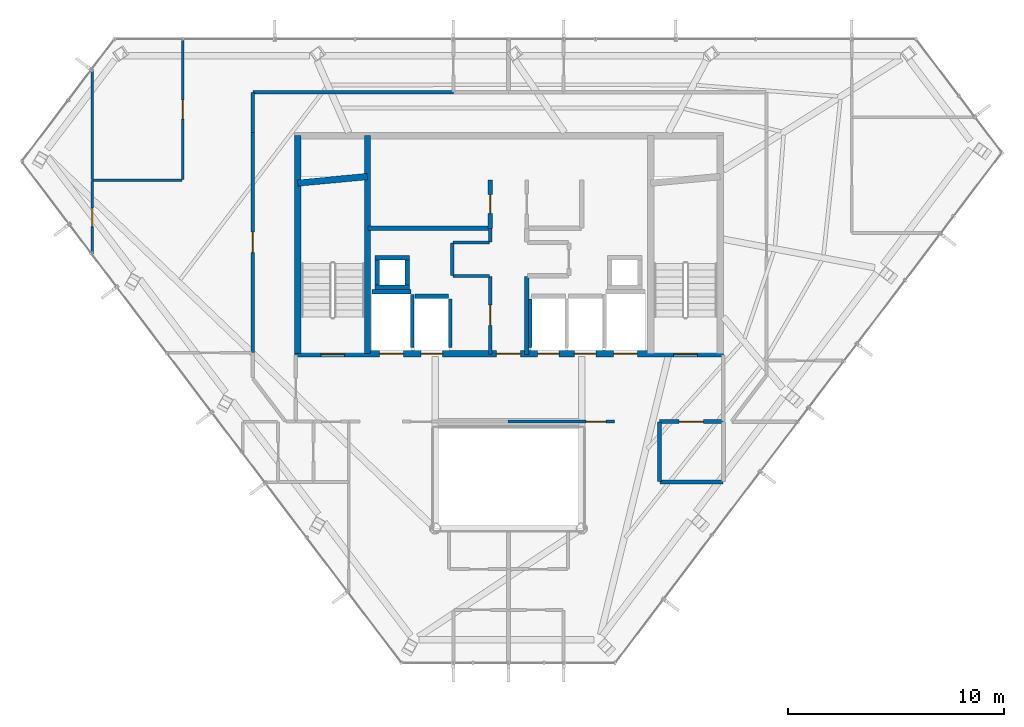
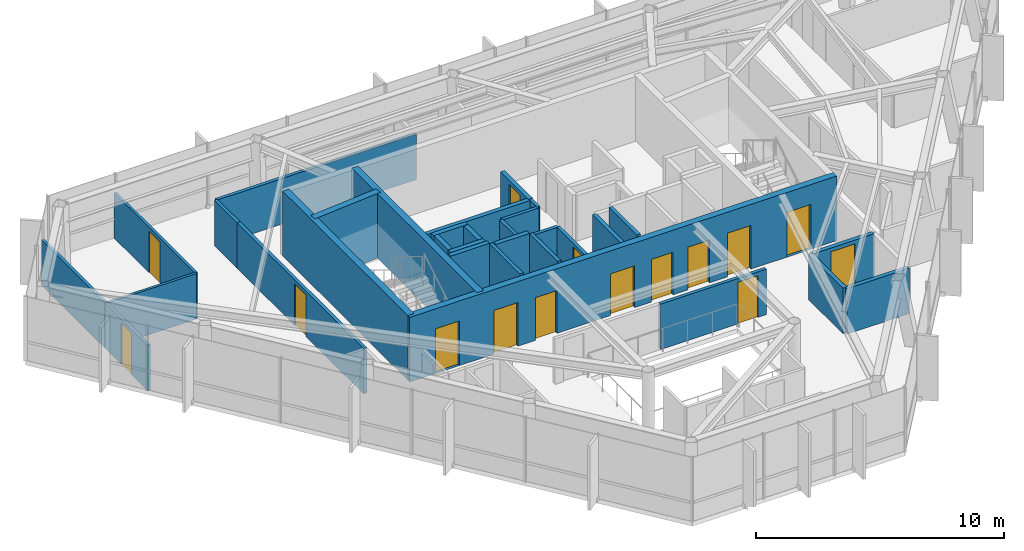
# One storey, part 23 of 26: 32 walls, 15 doors, 15 openings.
"""IFC4 building model written with IfcOpenShell, lengths in metres."""

import ifcopenshell
import ifcopenshell.guid

model = None  # the IFC model being written
_history = None  # IfcOwnerHistory: only IFC2X3 demands one
_inside = {}  # id of a spatial element -> (the spatial element, [elements in it])
_under = {}  # id of a project, library or spatial element -> (it, [spatial elements below it])
_declared = {}  # id of a project -> (the project, [libraries it declares])
_typed = {}  # id of a type object -> (the type object, [elements of that type])
_made_of = {}  # id of a material, layer set ... -> (it, [elements and type objects made of it])


def new_model(schema):
    """Start an empty IFC model of exactly this schema.

    Asked for "IFC4X3", IfcOpenShell would pick the latest addendum, in which some entities
    have other attributes; the version numbers below select the first issue.
    IFC2X3 requires an IfcOwnerHistory on every rooted entity: one is made here for all.
    """
    global model, _history
    if schema == "IFC4X3":
        model = ifcopenshell.file(schema_version=(4, 3, 0, 0))
    else:
        model = ifcopenshell.file(schema=schema)
    _inside.clear()
    _under.clear()
    _declared.clear()
    _typed.clear()
    _made_of.clear()
    _history = None
    if model.schema == "IFC2X3":
        org = make("IfcOrganization", Name="unknown")
        user = make(
            "IfcPersonAndOrganization",
            ThePerson=make("IfcPerson", FamilyName="unknown"),
            TheOrganization=org,
        )
        app = make(
            "IfcApplication",
            ApplicationDeveloper=org,
            Version="unknown",
            ApplicationFullName="unknown",
            ApplicationIdentifier="unknown",
        )
        _history = make(
            "IfcOwnerHistory",
            OwningUser=user,
            OwningApplication=app,
            ChangeAction="ADDED",
            CreationDate=0,
        )
    return model


def make(cls, **values):
    """One entity of the class cls with the attributes given. An attribute that is None is left unset."""
    return model.create_entity(
        cls, **{name: value for name, value in values.items() if value is not None}
    )


def rooted(cls, **values):
    """An entity with a GlobalId (a new one), such as an element, a storey or a relation."""
    return make(cls, GlobalId=ifcopenshell.guid.new(), OwnerHistory=_history, **values)


def si_unit(unit_type, name, prefix=None):
    """IfcSIUnit, for example si_unit("LENGTHUNIT", "METRE", prefix="MILLI")."""
    return make("IfcSIUnit", UnitType=unit_type, Prefix=prefix, Name=name)


def assignment(units):
    """IfcUnitAssignment: the units of a project."""
    return None if units is None else make("IfcUnitAssignment", Units=units)


def point(xyz):
    """IfcCartesianPoint."""
    return None if xyz is None else make("IfcCartesianPoint", Coordinates=xyz)


def direction(xyz):
    """IfcDirection."""
    return None if xyz is None else make("IfcDirection", DirectionRatios=xyz)


def frame(location, z_axis=None, x_axis=None):
    """IfcAxis2Placement3D, a coordinate frame: its origin and axes. An axis left out is left unset."""
    return make(
        "IfcAxis2Placement3D",
        Location=point(location),
        Axis=direction(z_axis),
        RefDirection=direction(x_axis),
    )


def frame_2d(location, x_axis=None):
    """IfcAxis2Placement2D, a coordinate frame in the plane: its origin and x axis."""
    return make(
        "IfcAxis2Placement2D", Location=point(location), RefDirection=direction(x_axis)
    )


def origin():
    """The frame at (0, 0, 0) with its axes left unset."""
    return frame((0.0, 0.0, 0.0))


def place(relative_to, where):
    """IfcLocalPlacement: puts the frame where relative to a parent placement (None: the world)."""
    return make(
        "IfcLocalPlacement", PlacementRelTo=relative_to, RelativePlacement=where
    )


def context(
    kind, dimensions, precision=None, world=None, true_north=None, identifier=None
):
    """IfcGeometricRepresentationContext, for example the 3D "Model" context."""
    return make(
        "IfcGeometricRepresentationContext",
        ContextIdentifier=identifier,
        ContextType=kind,
        CoordinateSpaceDimension=dimensions,
        Precision=precision,
        WorldCoordinateSystem=world,
        TrueNorth=true_north,
    )


def subcontext(parent, identifier, kind, view, scale=None):
    """IfcGeometricRepresentationSubContext, for example "Body" below "Model"."""
    return make(
        "IfcGeometricRepresentationSubContext",
        ContextIdentifier=identifier,
        ContextType=kind,
        ParentContext=parent,
        TargetScale=scale,
        TargetView=view,
    )


def project(units=None, contexts=None):
    """IfcProject with its units and contexts."""
    return rooted(
        "IfcProject",
        Name="project",
        RepresentationContexts=contexts,
        UnitsInContext=assignment(units),
    )


def spatial(cls, under=None, at=None, **own):
    """A site, building, storey or space (cls), placed at a placement, below another one or the project."""
    s = rooted(cls, ObjectPlacement=at, **own)
    if under is not None:
        _under.setdefault(under.id(), (under, []))[1].append(s)
    return s


def profile(cls, at=None, kind="AREA", **sizes):
    """A parametric profile (cls). Its sizes go by their IFC names, for example OverallWidth=200.0."""
    return make(cls, ProfileType=kind, Position=at, **sizes)


def rectangle(**sizes):
    """IfcRectangleProfileDef."""
    return profile("IfcRectangleProfileDef", **sizes)


def extrude(swept, where, along, depth):
    """IfcExtrudedAreaSolid: the profile swept, set in the frame where, extruded along a direction by depth."""
    return make(
        "IfcExtrudedAreaSolid",
        SweptArea=swept,
        Position=where,
        ExtrudedDirection=direction(along),
        Depth=depth,
    )


def shape(context_of_items, identifier, shape_type, items):
    """IfcShapeRepresentation: the items that make up one representation, for example the "Body"."""
    return make(
        "IfcShapeRepresentation",
        ContextOfItems=context_of_items,
        RepresentationIdentifier=identifier,
        RepresentationType=shape_type,
        Items=items,
    )


def material(Name=None, Category=None):
    """IfcMaterial."""
    return make("IfcMaterial", Name=Name, Category=Category)


def layer(
    of_material, thickness, ventilated=None, Name=None, Category=None, Priority=None
):
    """IfcMaterialLayer: one layer of a wall or slab, of a material (None: an air gap)."""
    return make(
        "IfcMaterialLayer",
        Material=of_material,
        LayerThickness=thickness,
        IsVentilated=ventilated,
        Name=Name,
        Category=Category,
        Priority=Priority,
    )


def layer_set(layers, Name=None):
    """IfcMaterialLayerSet."""
    return make("IfcMaterialLayerSet", MaterialLayers=layers, LayerSetName=Name)


def made_of(thing, what):
    """Note that an element or type object is made of a material, layer set ...; save() writes the relation."""
    if what is not None:
        _made_of.setdefault(what.id(), (what, []))[1].append(thing)
    return thing


def type_object(cls, material=None, **own):
    """A type object (cls), such as IfcWallType, which elements share."""
    return made_of(rooted(cls, **own), material)


def element(
    cls,
    number,
    at=None,
    inside=None,
    cuts=None,
    type_object=None,
    material=None,
    context=None,
    identifier="Body",
    shape_type=None,
    held_by="IfcProductDefinitionShape",
    body=None,
    shapes=None,
    **own,
):
    """One element of the class cls, such as IfcWall. Its Tag is "e" and its number.

    at: its placement. inside: the storey or other place that contains it. cuts: it is an
    opening in that element (IfcRelVoidsElement). A single representation is given by context,
    identifier, shape_type and body (its items); several are given by shapes. held_by: the class
    of the entity that holds the representations. save() writes the other relations.
    """
    e = rooted(cls, Tag="e%d" % number, ObjectPlacement=at, **own)
    if body is not None:
        shapes = [shape(context, identifier, shape_type, body)]
    if shapes is not None:
        e.Representation = make(held_by, Representations=shapes)
    if inside is not None:
        _inside.setdefault(inside.id(), (inside, []))[1].append(e)
    if cuts is not None:
        rooted(
            "IfcRelVoidsElement", RelatingBuildingElement=cuts, RelatedOpeningElement=e
        )
    if type_object is not None:
        _typed.setdefault(type_object.id(), (type_object, []))[1].append(e)
    return made_of(e, material)


def fill(opening, filler):
    """IfcRelFillsElement: the door or window that sits in an opening."""
    return rooted(
        "IfcRelFillsElement",
        RelatingOpeningElement=opening,
        RelatedBuildingElement=filler,
    )


def aggregate(whole, parts):
    """IfcRelAggregates: a whole, such as a stair, and the parts it consists of."""
    return rooted("IfcRelAggregates", RelatingObject=whole, RelatedObjects=parts)


def save(model, path):
    """Write the relations noted so far, then the file.

    IfcRelAggregates (storeys below a building ...), IfcRelContainedInSpatialStructure (elements
    in a storey), IfcRelDefinesByType, IfcRelAssociatesMaterial and IfcRelDeclares: one each for
    every whole, place, type object, material and project.
    """
    for whole, parts in _under.values():
        aggregate(whole, parts)
    for where, things in _inside.values():
        rooted(
            "IfcRelContainedInSpatialStructure",
            RelatedElements=things,
            RelatingStructure=where,
        )
    for kind, things in _typed.values():
        rooted("IfcRelDefinesByType", RelatedObjects=things, RelatingType=kind)
    for what, things in _made_of.values():
        rooted("IfcRelAssociatesMaterial", RelatedObjects=things, RelatingMaterial=what)
    for by, libraries in _declared.values():
        rooted("IfcRelDeclares", RelatingContext=by, RelatedDefinitions=libraries)
    model.write(path)


model = new_model("IFC4")

# Units and contexts
model_context = context("Model", 3, precision=1e-05, world=origin(), true_north=direction((0.0, 1.0)))
body_context = subcontext(model_context, "Body", "Model", "MODEL_VIEW")
ifc_project = project(units=[si_unit("LENGTHUNIT", "METRE"), si_unit("AREAUNIT", "SQUARE_METRE"), si_unit("VOLUMEUNIT", "CUBIC_METRE"), si_unit("PLANEANGLEUNIT", "RADIAN"), si_unit("MASSUNIT", "GRAM", prefix="KILO")], contexts=[model_context])

# Site, building, storey
site_placement = place(None, origin())
site = spatial("IfcSite", under=ifc_project, at=site_placement, CompositionType="ELEMENT")
building_placement = place(site_placement, origin())
building = spatial("IfcBuilding", under=site, at=building_placement, Name="Zarrinselat Tower", CompositionType="ELEMENT")
storey_placement = place(building_placement, frame((0.0, 0.0, 265.199951171875)))
storey = spatial("IfcBuildingStorey", under=building, at=storey_placement, Name="L67", CompositionType="ELEMENT", Elevation=265.199951171875)

# Wall, opening, door
ifc_material_1 = material(Name="Concrete C40/50", Category="concrete")
ifc_layer_1 = layer(ifc_material_1, 0.18994140625)
ifc_layer_set_1 = layer_set([ifc_layer_1], Name="Concrete C40/50")
wall_type_1 = type_object("IfcWallType", Name="WAL-PART-EI120", PredefinedType="PARTITIONING", material=ifc_layer_set_1)
wall_1_placement = place(storey_placement, frame((45.405029296875, 30.14990234375, 0.0), z_axis=(0.0, 0.0, 1.0), x_axis=(1.0, 0.0, 0.0)))
wall_1 = element("IfcWall", 1, at=wall_1_placement, inside=storey, type_object=wall_type_1, Name="L67 Partition Wall 16", PredefinedType="PARTITIONING", context=body_context, shape_type="SweptSolid", body=[
    extrude(rectangle(XDim=2.925048828125, YDim=0.18994140625, at=frame_2d((1.46240234375, 0.0))), origin(), (0.0, 0.0, 1.0), 2.235107421875),
])
opening_1_placement = place(wall_1_placement, frame((0.902587890625, 0.0, 0.0)))
opening_1 = element("IfcOpeningElement", 2, at=opening_1_placement, cuts=wall_1, Name="Opening ID-02", PredefinedType="OPENING", context=body_context, shape_type="SweptSolid", body=[
    extrude(rectangle(XDim=1.1201171875, YDim=2.050048828125, at=frame_2d((0.56005859375, 1.02490234375))), frame((0.0, 0.10498046875, 0.0), z_axis=(0.0, -1.0, 0.0), x_axis=(1.0, 0.0, 0.0)), (0.0, 0.0, 1.0), 0.2099609375),
])
ifc_material_2 = material(Name="Steel S355J2", Category="steel")
door_type_1 = type_object("IfcDoorType", Name="DR-INT-FD60-W", OperationType="NOTDEFINED", PredefinedType="DOOR", material=ifc_material_2)
door_1_placement = place(opening_1_placement, origin())
door_1 = element("IfcDoor", 3, at=door_1_placement, inside=storey, type_object=door_type_1, Name="L67 Interior Door P16", OperationType="SINGLE_SWING_LEFT", OverallHeight=2.050048828125, OverallWidth=1.1201171875, PredefinedType="DOOR", context=body_context, shape_type="SweptSolid", body=[
    extrude(rectangle(XDim=1.1201171875, YDim=2.050048828125, at=frame_2d((0.56005859375, 1.02490234375))), frame((0.0, 0.02490234375, 0.0), z_axis=(0.0, -1.0, 0.0), x_axis=(1.0, 0.0, 0.0)), (0.0, 0.0, 1.0), 0.050048828125),
])
fill(opening_1, door_1)

# Walls
wall_2_placement = place(storey_placement, frame((45.419921875, 27.35009765625, 0.0), z_axis=(0.0, 0.0, 1.0), x_axis=(1.0, 0.0, 0.0)))
element("IfcWall", 4, at=wall_2_placement, inside=storey, type_object=wall_type_1, Name="L67 Partition Wall 24", PredefinedType="PARTITIONING", context=body_context, shape_type="SweptSolid", body=[
    extrude(rectangle(XDim=2.91015625, YDim=0.18994140625, at=frame_2d((1.455078125, 0.0))), origin(), (0.0, 0.0, 1.0), 2.235107421875),
])
wall_3_placement = place(storey_placement, frame((45.39990234375, 27.3701171875, 0.0), z_axis=(0.0, 0.0, 1.0), x_axis=(0.0, 1.0, 0.0)))
element("IfcWall", 5, at=wall_3_placement, inside=storey, type_object=wall_type_1, Name="L67 Partition Wall 25", PredefinedType="PARTITIONING", context=body_context, shape_type="SweptSolid", body=[
    extrude(rectangle(XDim=2.759765625, YDim=0.18994140625, at=frame_2d((1.3798828125, 0.0))), origin(), (0.0, 0.0, 1.0), 2.235107421875),
])

# Wall, opening, door
ifc_material_3 = material(Name="Fire-Rated Gypsum Board Partition", Category="gypsum")
ifc_layer_2 = layer(ifc_material_3, 0.14990234375)
ifc_layer_set_2 = layer_set([ifc_layer_2], Name="Fire-Rated Gypsum Board Partition")
wall_type_2 = type_object("IfcWallType", Name="WAL-PART-EI60", PredefinedType="PARTITIONING", material=ifc_layer_set_2)
wall_4_placement = place(storey_placement, frame((37.550048828125, 33.264892578125, 0.0), z_axis=(0.0, 0.0, 1.0), x_axis=(0.0, 1.0, 0.0)))
wall_4 = element("IfcWall", 6, at=wall_4_placement, inside=storey, type_object=wall_type_2, Name="L67 Partition Wall 1", PredefinedType="PARTITIONING", context=body_context, shape_type="SweptSolid", body=[
    extrude(rectangle(XDim=3.614990234375, YDim=0.14990234375, at=frame_2d((1.8076171875, 0.0))), origin(), (0.0, 0.0, 1.0), 2.235107421875),
])
opening_2_placement = place(wall_4_placement, frame((1.33740234375, 0.0, 0.0)))
opening_2 = element("IfcOpeningElement", 7, at=opening_2_placement, cuts=wall_4, Name="Opening ID-04", PredefinedType="OPENING", context=body_context, shape_type="SweptSolid", body=[
    extrude(rectangle(XDim=0.93994140625, YDim=2.050048828125, at=frame_2d((0.469970703125, 1.02490234375))), frame((0.0, 0.0849609375, 0.0), z_axis=(0.0, -1.0, 0.0), x_axis=(1.0, 0.0, 0.0)), (0.0, 0.0, 1.0), 0.169921875),
])
ifc_material_4 = material(Name="Fire-Rated Gypsum Board Partition")
door_type_2 = type_object("IfcDoorType", Name="DR-INT-FD30-ENT", OperationType="NOTDEFINED", PredefinedType="DOOR", material=ifc_material_4)
door_2_placement = place(opening_2_placement, origin())
door_2 = element("IfcDoor", 8, at=door_2_placement, inside=storey, type_object=door_type_2, Name="L67 Interior Door P1", OperationType="SINGLE_SWING_LEFT", OverallHeight=2.050048828125, OverallWidth=0.93994140625, PredefinedType="DOOR", context=body_context, shape_type="SweptSolid", body=[
    extrude(rectangle(XDim=0.93994140625, YDim=2.050048828125, at=frame_2d((0.469970703125, 1.02490234375))), frame((0.0, 0.02490234375, 0.0), z_axis=(0.0, -1.0, 0.0), x_axis=(1.0, 0.0, 0.0)), (0.0, 0.0, 1.0), 0.050048828125),
])
fill(opening_2, door_2)

# Walls
wall_5_placement = place(storey_placement, frame((35.820068359375, 36.89990234375, 0.0), z_axis=(0.0, 0.0, 1.0), x_axis=(1.0, 0.0, 0.0)))
element("IfcWall", 9, at=wall_5_placement, inside=storey, type_object=wall_type_2, Name="L67 Partition Wall 2", PredefinedType="PARTITIONING", context=body_context, shape_type="SweptSolid", body=[
    extrude(rectangle(XDim=1.7099609375, YDim=0.14990234375, at=frame_2d((0.85498046875, 0.0))), origin(), (0.0, 0.0, 1.0), 2.235107421875),
])
wall_6_placement = place(storey_placement, frame((35.800048828125, 36.919921875, 0.0), z_axis=(0.0, 0.0, 1.0), x_axis=(0.0, 1.0, 0.0)))
element("IfcWall", 10, at=wall_6_placement, inside=storey, type_object=wall_type_2, Name="L67 Partition Wall 3", PredefinedType="PARTITIONING", context=body_context, shape_type="SweptSolid", body=[
    extrude(rectangle(XDim=1.510009765625, YDim=0.14990234375, at=frame_2d((0.7548828125, 0.0))), origin(), (0.0, 0.0, 1.0), 2.235107421875),
])
wall_7_placement = place(storey_placement, frame((35.820068359375, 38.449951171875, 0.0), z_axis=(0.0, 0.0, 1.0), x_axis=(1.0, 0.0, 0.0)))
element("IfcWall", 11, at=wall_7_placement, inside=storey, type_object=wall_type_2, Name="L67 Partition Wall 4", PredefinedType="PARTITIONING", context=body_context, shape_type="SweptSolid", body=[
    extrude(rectangle(XDim=1.7099609375, YDim=0.14990234375, at=frame_2d((0.85498046875, 0.0))), origin(), (0.0, 0.0, 1.0), 2.235107421875),
])
wall_8_placement = place(storey_placement, frame((37.550048828125, 38.469970703125, 0.0), z_axis=(0.0, 0.0, 1.0), x_axis=(0.0, 1.0, 0.0)))
element("IfcWall", 12, at=wall_8_placement, inside=storey, type_object=wall_type_2, Name="L67 Partition Wall 5", PredefinedType="PARTITIONING", context=body_context, shape_type="SweptSolid", body=[
    extrude(rectangle(XDim=0.625, YDim=0.14990234375, at=frame_2d((0.3125, 0.0))), origin(), (0.0, 0.0, 1.0), 2.235107421875),
])

# Wall, opening, door
wall_9_placement = place(storey_placement, frame((38.385009765625, 30.14990234375, 0.0), z_axis=(0.0, 0.0, 1.0), x_axis=(1.0, 0.0, 0.0)))
wall_9 = element("IfcWall", 13, at=wall_9_placement, inside=storey, type_object=wall_type_2, Name="L67 Partition Wall 23", PredefinedType="PARTITIONING", context=body_context, shape_type="SweptSolid", body=[
    extrude(rectangle(XDim=4.929931640625, YDim=0.14990234375, at=frame_2d((2.46484375, 0.0))), origin(), (0.0, 0.0, 1.0), 2.235107421875),
])
opening_3_placement = place(wall_9_placement, frame((3.594970703125, 0.0, 0.0)))
opening_3 = element("IfcOpeningElement", 14, at=opening_3_placement, cuts=wall_9, Name="Opening ID-04", PredefinedType="OPENING", context=body_context, shape_type="SweptSolid", body=[
    extrude(rectangle(XDim=0.93994140625, YDim=2.050048828125, at=frame_2d((0.469970703125, 1.02490234375))), frame((0.0, 0.0849609375, 0.0), z_axis=(0.0, -1.0, 0.0), x_axis=(1.0, 0.0, 0.0)), (0.0, 0.0, 1.0), 0.169921875),
])
door_3_placement = place(opening_3_placement, origin())
door_3 = element("IfcDoor", 15, at=door_3_placement, inside=storey, type_object=door_type_2, Name="L67 Interior Door P23", OperationType="SINGLE_SWING_LEFT", OverallHeight=2.050048828125, OverallWidth=0.93994140625, PredefinedType="DOOR", context=body_context, shape_type="SweptSolid", body=[
    extrude(rectangle(XDim=0.93994140625, YDim=2.050048828125, at=frame_2d((0.469970703125, 1.02490234375))), frame((0.0, 0.02490234375, 0.0), z_axis=(0.0, -1.0, 0.0), x_axis=(1.0, 0.0, 0.0)), (0.0, 0.0, 1.0), 0.050048828125),
])
fill(opening_3, door_3)

wall_10_placement = place(storey_placement, frame((26.550048828125, 33.35302734375, 0.0), z_axis=(0.0, 0.0, 1.0), x_axis=(0.0, 1.0, 0.0)))
wall_10 = element("IfcWall", 16, at=wall_10_placement, inside=storey, type_object=wall_type_2, Name="L67 Partition Wall 28", PredefinedType="PARTITIONING", context=body_context, shape_type="SweptSolid", body=[
    extrude(rectangle(XDim=10.197021484375, YDim=0.14990234375, at=frame_2d((5.0986328125, 0.0))), origin(), (0.0, 0.0, 1.0), 2.235107421875),
])
opening_4_placement = place(wall_10_placement, frame((4.62841796875, 0.0, 0.0)))
opening_4 = element("IfcOpeningElement", 17, at=opening_4_placement, cuts=wall_10, Name="Opening ID-04", PredefinedType="OPENING", context=body_context, shape_type="SweptSolid", body=[
    extrude(rectangle(XDim=0.93994140625, YDim=2.050048828125, at=frame_2d((0.469970703125, 1.02490234375))), frame((0.0, 0.0849609375, 0.0), z_axis=(0.0, -1.0, 0.0), x_axis=(1.0, 0.0, 0.0)), (0.0, 0.0, 1.0), 0.169921875),
])
door_4_placement = place(opening_4_placement, origin())
door_4 = element("IfcDoor", 18, at=door_4_placement, inside=storey, type_object=door_type_2, Name="L67 Interior Door P28", OperationType="SINGLE_SWING_RIGHT", OverallHeight=2.050048828125, OverallWidth=0.93994140625, PredefinedType="DOOR", context=body_context, shape_type="SweptSolid", body=[
    extrude(rectangle(XDim=0.93994140625, YDim=2.050048828125, at=frame_2d((0.469970703125, 1.02490234375))), frame((0.0, 0.02490234375, 0.0), z_axis=(0.0, -1.0, 0.0), x_axis=(1.0, 0.0, 0.0)), (0.0, 0.0, 1.0), 0.050048828125),
])
fill(opening_4, door_4)

# Walls
wall_11_placement = place(storey_placement, frame((26.550048828125, 43.550048828125, 0.0), z_axis=(0.0, 0.0, 1.0), x_axis=(0.0, 1.0, 0.0)))
element("IfcWall", 19, at=wall_11_placement, inside=storey, type_object=wall_type_2, Name="L67 Partition Wall 29", PredefinedType="PARTITIONING", context=body_context, shape_type="SweptSolid", body=[
    extrude(rectangle(XDim=1.836669921875, YDim=0.14990234375, at=frame_2d((0.91845703125, 0.0))), origin(), (0.0, 0.0, 1.0), 2.235107421875),
])
wall_12_placement = place(storey_placement, frame((26.570068359375, 45.40673828125, 0.0), z_axis=(0.0, 0.0, 1.0), x_axis=(1.0, 0.0, 0.0)))
element("IfcWall", 20, at=wall_12_placement, inside=storey, type_object=wall_type_2, Name="L67 Partition Wall 30", PredefinedType="PARTITIONING", context=body_context, shape_type="SweptSolid", body=[
    extrude(rectangle(XDim=9.27490234375, YDim=0.14990234375, at=frame_2d((4.637451171875, 0.0))), origin(), (0.0, 0.0, 1.0), 2.235107421875),
])

# Wall, opening, door
ifc_material_5 = material(Name="Concrete C40/50", Category="concrete")
ifc_layer_3 = layer(ifc_material_5, 0.199951171875)
ifc_layer_set_3 = layer_set([ifc_layer_3], Name="Concrete C40/50")
wall_type_3 = type_object("IfcWallType", Name="WAL-PART-PLANT", PredefinedType="PARTITIONING", material=ifc_layer_set_3)
wall_13_placement = place(storey_placement, frame((37.550048828125, 39.10498046875, 0.0), z_axis=(0.0, 0.0, 1.0), x_axis=(0.0, 1.0, 0.0)))
wall_13 = element("IfcWall", 21, at=wall_13_placement, inside=storey, type_object=wall_type_3, Name="L67 Partition Wall 6", PredefinedType="PARTITIONING", context=body_context, shape_type="SweptSolid", body=[
    extrude(rectangle(XDim=2.2451171875, YDim=0.199951171875, at=frame_2d((1.12255859375, 0.0))), origin(), (0.0, 0.0, 1.0), 2.235107421875),
])
opening_5_placement = place(wall_13_placement, frame((0.6826171875, 0.0, 0.0)))
opening_5 = element("IfcOpeningElement", 22, at=opening_5_placement, cuts=wall_13, Name="Opening ID-03", PredefinedType="OPENING", context=body_context, shape_type="SweptSolid", body=[
    extrude(rectangle(XDim=0.8798828125, YDim=2.050048828125, at=frame_2d((0.43994140625, 1.02490234375))), frame((0.0, 0.10986328125, 0.0), z_axis=(0.0, -1.0, 0.0), x_axis=(1.0, 0.0, 0.0)), (0.0, 0.0, 1.0), 0.219970703125),
])
ifc_material_6 = material(Name="Steel S355J2", Category="steel")
door_type_3 = type_object("IfcDoorType", Name="DR-INT-FD60-S", OperationType="NOTDEFINED", PredefinedType="DOOR", material=ifc_material_6)
door_5_placement = place(opening_5_placement, origin())
door_5 = element("IfcDoor", 23, at=door_5_placement, inside=storey, type_object=door_type_3, Name="L67 Interior Door P6", OperationType="SINGLE_SWING_RIGHT", OverallHeight=2.050048828125, OverallWidth=0.8798828125, PredefinedType="DOOR", context=body_context, shape_type="SweptSolid", body=[
    extrude(rectangle(XDim=0.8798828125, YDim=2.050048828125, at=frame_2d((0.43994140625, 1.02490234375))), frame((0.0, 0.02490234375, 0.0), z_axis=(0.0, -1.0, 0.0), x_axis=(1.0, 0.0, 0.0)), (0.0, 0.0, 1.0), 0.050048828125),
])
fill(opening_5, door_5)

# Walls
wall_14_placement = place(storey_placement, frame((39.25, 33.264892578125, 0.0), z_axis=(0.0, 0.0, 1.0), x_axis=(0.0, 1.0, 0.0)))
element("IfcWall", 24, at=wall_14_placement, inside=storey, type_object=wall_type_3, Name="L67 Partition Wall 11", PredefinedType="PARTITIONING", context=body_context, shape_type="SweptSolid", body=[
    extrude(rectangle(XDim=3.614990234375, YDim=0.199951171875, at=frame_2d((1.8076171875, 0.0))), origin(), (0.0, 0.0, 1.0), 2.235107421875),
])
wall_15_placement = place(storey_placement, frame((31.885009765625, 39.10009765625, 0.0), z_axis=(0.0, 0.0, 1.0), x_axis=(1.0, 0.0, 0.0)))
element("IfcWall", 25, at=wall_15_placement, inside=storey, type_object=wall_type_3, Name="L67 Partition Wall 13", PredefinedType="PARTITIONING", context=body_context, shape_type="SweptSolid", body=[
    extrude(rectangle(XDim=5.64501953125, YDim=0.199951171875, at=frame_2d((2.822509765625, 0.0))), origin(), (0.0, 0.0, 1.0), 2.235107421875),
])
ifc_material_7 = material(Name="Fire-Rated Gypsum Board Partition", Category="gypsum")
ifc_layer_4 = layer(ifc_material_7, 0.1201171875)
ifc_layer_set_4 = layer_set([ifc_layer_4], Name="Fire-Rated Gypsum Board Partition")
wall_type_4 = type_object("IfcWallType", Name="WAL-PART-STD", PredefinedType="PARTITIONING", material=ifc_layer_set_4)
wall_16_placement = place(storey_placement, frame((19.1416015625, 41.33837890625, 0.0), z_axis=(0.0, 0.0, 1.0), x_axis=(1.0, 0.0, 0.0)))
element("IfcWall", 26, at=wall_16_placement, inside=storey, type_object=wall_type_4, Name="L67 Partition Wall 63", PredefinedType="PARTITIONING", context=body_context, shape_type="SweptSolid", body=[
    extrude(rectangle(XDim=4.14208984375, YDim=0.1201171875, at=frame_2d((2.071044921875, 0.0))), origin(), (0.0, 0.0, 1.0), 2.235107421875),
])

# Wall, opening, door
wall_17_placement = place(storey_placement, frame((23.3037109375, 41.3583984375, 0.0), z_axis=(0.0, 0.0, 1.0), x_axis=(0.0, 1.0, 0.0)))
wall_17 = element("IfcWall", 27, at=wall_17_placement, inside=storey, type_object=wall_type_4, Name="L67 Partition Wall 64", PredefinedType="PARTITIONING", context=body_context, shape_type="SweptSolid", body=[
    extrude(rectangle(XDim=6.493408203125, YDim=0.1201171875, at=frame_2d((3.24658203125, 0.0))), origin(), (0.0, 0.0, 1.0), 2.235107421875),
])
opening_6_placement = place(wall_17_placement, frame((2.796630859375, 0.0, 0.0)))
opening_6 = element("IfcOpeningElement", 28, at=opening_6_placement, cuts=wall_17, Name="Opening ID-05", PredefinedType="OPENING", context=body_context, shape_type="SweptSolid", body=[
    extrude(rectangle(XDim=0.89990234375, YDim=2.050048828125, at=frame_2d((0.449951171875, 1.02490234375))), frame((0.0, 0.070068359375, 0.0), z_axis=(0.0, -1.0, 0.0), x_axis=(1.0, 0.0, 0.0)), (0.0, 0.0, 1.0), 0.14013671875),
])
ifc_material_8 = material(Name="Extruded Aluminium Alloy EN AW-6063 T6", Category="aluminium")
door_type_4 = type_object("IfcDoorType", Name="DR-INT-STD-920", OperationType="NOTDEFINED", PredefinedType="DOOR", material=ifc_material_8)
door_6_placement = place(opening_6_placement, origin())
door_6 = element("IfcDoor", 29, at=door_6_placement, inside=storey, type_object=door_type_4, Name="L67 Interior Door P64", OperationType="SINGLE_SWING_LEFT", OverallHeight=2.050048828125, OverallWidth=0.89990234375, PredefinedType="DOOR", context=body_context, shape_type="SweptSolid", body=[
    extrude(rectangle(XDim=0.89990234375, YDim=2.050048828125, at=frame_2d((0.449951171875, 1.02490234375))), frame((0.0, 0.02490234375, 0.0), z_axis=(0.0, -1.0, 0.0), x_axis=(1.0, 0.0, 0.0)), (0.0, 0.0, 1.0), 0.050048828125),
])
fill(opening_6, door_6)

ifc_material_9 = material(Name="Fire-Rated Gypsum Board Partition", Category="gypsum")
ifc_layer_5 = layer(ifc_material_9, 0.135009765625)
ifc_layer_set_5 = layer_set([ifc_layer_5], Name="Fire-Rated Gypsum Board Partition")
wall_type_5 = type_object("IfcWallType", Name="WAL-PART-WET", PredefinedType="PARTITIONING", material=ifc_layer_set_5)
wall_18_placement = place(storey_placement, frame((19.12158203125, 37.9091796875, 0.0), z_axis=(0.0, 0.0, 1.0), x_axis=(0.0, 1.0, 0.0)))
wall_18 = element("IfcWall", 30, at=wall_18_placement, inside=storey, type_object=wall_type_5, Name="L67 Partition Wall 61", PredefinedType="PARTITIONING", context=body_context, shape_type="SweptSolid", body=[
    extrude(rectangle(XDim=3.4091796875, YDim=0.135009765625, at=frame_2d((1.70458984375, 0.0))), origin(), (0.0, 0.0, 1.0), 2.235107421875),
])
opening_7_placement = place(wall_18_placement, frame((1.274658203125, 0.0, 0.0)))
opening_7 = element("IfcOpeningElement", 31, at=opening_7_placement, cuts=wall_18, Name="Opening ID-06", PredefinedType="OPENING", context=body_context, shape_type="SweptSolid", body=[
    extrude(rectangle(XDim=0.860107421875, YDim=2.050048828125, at=frame_2d((0.43017578125, 1.02490234375))), frame((0.0, 0.077392578125, 0.0), z_axis=(0.0, -1.0, 0.0), x_axis=(1.0, 0.0, 0.0)), (0.0, 0.0, 1.0), 0.155029296875),
])
ifc_material_10 = material(Name="Extruded Aluminium Alloy EN AW-6063 T6", Category="aluminium")
door_type_5 = type_object("IfcDoorType", Name="DR-INT-WET-900", OperationType="NOTDEFINED", PredefinedType="DOOR", material=ifc_material_10)
door_7_placement = place(opening_7_placement, origin())
door_7 = element("IfcDoor", 32, at=door_7_placement, inside=storey, type_object=door_type_5, Name="L67 Interior Door P61", OperationType="SINGLE_SWING_LEFT", OverallHeight=2.050048828125, OverallWidth=0.860107421875, PredefinedType="DOOR", context=body_context, shape_type="SweptSolid", body=[
    extrude(rectangle(XDim=0.860107421875, YDim=2.050048828125, at=frame_2d((0.43017578125, 1.02490234375))), frame((0.0, 0.02490234375, 0.0), z_axis=(0.0, -1.0, 0.0), x_axis=(1.0, 0.0, 0.0)), (0.0, 0.0, 1.0), 0.050048828125),
])
fill(opening_7, door_7)

# Walls
wall_19_placement = place(storey_placement, frame((19.12158203125, 41.3583984375, 0.0), z_axis=(0.0, 0.0, 1.0), x_axis=(0.0, 1.0, 0.0)))
element("IfcWall", 33, at=wall_19_placement, inside=storey, type_object=wall_type_5, Name="L67 Partition Wall 66", PredefinedType="PARTITIONING", context=body_context, shape_type="SweptSolid", body=[
    extrude(rectangle(XDim=5.13134765625, YDim=0.135009765625, at=frame_2d((2.565673828125, 0.0))), origin(), (0.0, 0.0, 1.0), 2.235107421875),
])
ifc_material_11 = material(Name="Concrete C40/50", Category="concrete")
ifc_layer_6 = layer(ifc_material_11, 0.2099609375)
ifc_layer_set_6 = layer_set([ifc_layer_6], Name="Concrete C40/50")
wall_type_6 = type_object("IfcWallType", Name="WAL-SHAFT-210", PredefinedType="SOLIDWALL", material=ifc_layer_set_6)
wall_20_placement = place(storey_placement, frame((32.080078125, 36.155029296875, 0.0), z_axis=(0.0, 0.0, 1.0), x_axis=(1.0, 0.0, 0.0)))
element("IfcWall", 34, at=wall_20_placement, inside=storey, type_object=wall_type_6, Name="L67 Lift FFL1 North Shaft Wall", PredefinedType="SOLIDWALL", context=body_context, shape_type="SweptSolid", body=[
    extrude(rectangle(XDim=1.7998046875, YDim=0.2099609375, at=frame_2d((0.89990234375, 0.0))), origin(), (0.0, 0.0, 1.0), 3.179931640625),
])
wall_21_placement = place(storey_placement, frame((33.949951171875, 33.580078125, 0.0), z_axis=(0.0, 0.0, 1.0), x_axis=(0.0, 1.0, 0.0)))
element("IfcWall", 35, at=wall_21_placement, inside=storey, type_object=wall_type_6, Name="L67 Lift FFL1 E Shaft Wall", PredefinedType="SOLIDWALL", context=body_context, shape_type="SweptSolid", body=[
    extrude(rectangle(XDim=2.449951171875, YDim=0.159912109375, at=frame_2d((1.22509765625, 0.0))), origin(), (0.0, 0.0, 1.0), 3.179931640625),
])
wall_22_placement = place(storey_placement, frame((39.39990234375, 33.580078125, 0.0), z_axis=(0.0, 0.0, 1.0), x_axis=(0.0, 1.0, 0.0)))
element("IfcWall", 36, at=wall_22_placement, inside=storey, type_object=wall_type_6, Name="L67 Lift PL8 W Shaft Wall", PredefinedType="SOLIDWALL", context=body_context, shape_type="SweptSolid", body=[
    extrude(rectangle(XDim=2.25, YDim=0.159912109375, at=frame_2d((1.125, 0.0))), origin(), (0.0, 0.0, 1.0), 3.179931640625),
])
wall_23_placement = place(storey_placement, frame((34.070068359375, 35.955078125, 0.0), z_axis=(0.0, 0.0, 1.0), x_axis=(1.0, 0.0, 0.0)))
element("IfcWall", 37, at=wall_23_placement, inside=storey, type_object=wall_type_6, Name="L67 Lift PL10 North Shaft Wall", PredefinedType="SOLIDWALL", context=body_context, shape_type="SweptSolid", body=[
    extrude(rectangle(XDim=1.559814453125, YDim=0.2099609375, at=frame_2d((0.77978515625, 0.0))), origin(), (0.0, 0.0, 1.0), 3.179931640625),
])
wall_24_placement = place(storey_placement, frame((35.699951171875, 33.580078125, 0.0), z_axis=(0.0, 0.0, 1.0), x_axis=(0.0, 1.0, 0.0)))
element("IfcWall", 38, at=wall_24_placement, inside=storey, type_object=wall_type_6, Name="L67 Lift PL10 E Shaft Wall", PredefinedType="SOLIDWALL", context=body_context, shape_type="SweptSolid", body=[
    extrude(rectangle(XDim=2.25, YDim=0.159912109375, at=frame_2d((1.125, 0.0))), origin(), (0.0, 0.0, 1.0), 3.179931640625),
])
for number, where, z_axis, x_axis, name in (
    (39, (32.2099609375, 36.375, 0.0), (0.0, 0.0, 1.0), (1.0, 0.0, 0.0), "L67 Core Riser RSR-W S Shaft Wall"),
    (40, (32.2099609375, 37.7451171875, 0.0), (0.0, 0.0, 1.0), (1.0, 0.0, 0.0), "L67 Core Riser RSR-W N Shaft Wall"),
):
    element("IfcWall", number, at=place(storey_placement, frame(where, z_axis=z_axis, x_axis=x_axis)), inside=storey, type_object=wall_type_6, Name=name, PredefinedType="SOLIDWALL", context=body_context, shape_type="SweptSolid", body=[
        extrude(rectangle(XDim=1.60009765625, YDim=0.2099609375, at=frame_2d((0.800048828125, 0.0))), origin(), (0.0, 0.0, 1.0), 3.179931640625),
    ])
for number, where, z_axis, x_axis, name in (
    (41, (32.31494140625, 36.485107421875, 0.0), (0.0, 0.0, 1.0), (0.0, 1.0, 0.0), "L67 Core Riser RSR-W W Shaft Wall"),
    (42, (33.705078125, 36.485107421875, 0.0), (0.0, 0.0, 1.0), (0.0, 1.0, 0.0), "L67 Core Riser RSR-W E Shaft Wall"),
):
    element("IfcWall", number, at=place(storey_placement, frame(where, z_axis=z_axis, x_axis=x_axis)), inside=storey, type_object=wall_type_6, Name=name, PredefinedType="SOLIDWALL", context=body_context, shape_type="SweptSolid", body=[
        extrude(rectangle(XDim=1.14990234375, YDim=0.2099609375, at=frame_2d((0.574951171875, 0.0))), origin(), (0.0, 0.0, 1.0), 3.179931640625),
    ])

# Wall, openings, doors
ifc_material_12 = material(Name="Concrete C40/50", Category="concrete")
ifc_layer_7 = layer(ifc_material_12, 0.300048828125)
ifc_layer_set_7 = layer_set([ifc_layer_7], Name="Concrete C40/50")
wall_type_7 = type_object("IfcWallType", Name="WAL-SHEAR-300", PredefinedType="SHEAR", material=ifc_layer_set_7)
wall_25_placement = place(storey_placement, frame((28.5, 33.300048828125, 0.0), z_axis=(0.0, 0.0, 1.0), x_axis=(1.0, 0.0, 0.0)))
wall_25 = element("IfcWall", 43, at=wall_25_placement, inside=storey, type_object=wall_type_7, Name="L67 South Core Shear Wall", PredefinedType="SHEAR", context=body_context, shape_type="SweptSolid", body=[
    extrude(rectangle(XDim=19.860107421875, YDim=0.300048828125, at=frame_2d((9.93017578125, 0.0))), origin(), (0.0, 0.0, 1.0), 3.179931640625),
])
opening_8_placement = place(wall_25_placement, frame((3.929931640625, 0.0, 0.0)))
opening_8 = element("IfcOpeningElement", 44, at=opening_8_placement, cuts=wall_25, Name="Opening LD-FFL1", PredefinedType="OPENING", context=body_context, shape_type="SweptSolid", body=[
    extrude(rectangle(XDim=1.10009765625, YDim=2.14990234375, at=frame_2d((0.550048828125, 1.074951171875))), frame((0.0, 0.159912109375, 0.0), z_axis=(0.0, -1.0, 0.0), x_axis=(1.0, 0.0, 0.0)), (0.0, 0.0, 1.0), 0.320068359375),
])
opening_9_placement = place(wall_25_placement, frame((14.77001953125, 0.0, 0.0)))
opening_9 = element("IfcOpeningElement", 45, at=opening_9_placement, cuts=wall_25, Name="Opening LD-FFL2", PredefinedType="OPENING", context=body_context, shape_type="SweptSolid", body=[
    extrude(rectangle(XDim=1.10009765625, YDim=2.14990234375, at=frame_2d((0.550048828125, 1.074951171875))), frame((0.0, 0.159912109375, 0.0), z_axis=(0.0, -1.0, 0.0), x_axis=(1.0, 0.0, 0.0)), (0.0, 0.0, 1.0), 0.320068359375),
])
opening_10_placement = place(wall_25_placement, frame((11.25, 0.0, 0.0)))
opening_10 = element("IfcOpeningElement", 46, at=opening_10_placement, cuts=wall_25, Name="Opening LD-PL8", PredefinedType="OPENING", context=body_context, shape_type="SweptSolid", body=[
    extrude(rectangle(XDim=1.0, YDim=2.10009765625, at=frame_2d((0.5, 1.050048828125))), frame((0.0, 0.159912109375, 0.0), z_axis=(0.0, -1.0, 0.0), x_axis=(1.0, 0.0, 0.0)), (0.0, 0.0, 1.0), 0.320068359375),
])
opening_11_placement = place(wall_25_placement, frame((12.949951171875, 0.0, 0.0)))
opening_11 = element("IfcOpeningElement", 47, at=opening_11_placement, cuts=wall_25, Name="Opening LD-PL9", PredefinedType="OPENING", context=body_context, shape_type="SweptSolid", body=[
    extrude(rectangle(XDim=1.0, YDim=2.10009765625, at=frame_2d((0.5, 1.050048828125))), frame((0.0, 0.159912109375, 0.0), z_axis=(0.0, -1.0, 0.0), x_axis=(1.0, 0.0, 0.0)), (0.0, 0.0, 1.0), 0.320068359375),
])
opening_12_placement = place(wall_25_placement, frame((5.85009765625, 0.0, 0.0)))
opening_12 = element("IfcOpeningElement", 48, at=opening_12_placement, cuts=wall_25, Name="Opening LD-PL10", PredefinedType="OPENING", context=body_context, shape_type="SweptSolid", body=[
    extrude(rectangle(XDim=1.0, YDim=2.10009765625, at=frame_2d((0.5, 1.050048828125))), frame((0.0, 0.159912109375, 0.0), z_axis=(0.0, -1.0, 0.0), x_axis=(1.0, 0.0, 0.0)), (0.0, 0.0, 1.0), 0.320068359375),
])
opening_13_placement = place(wall_25_placement, frame((1.2099609375, 0.0, 0.0)))
opening_13 = element("IfcOpeningElement", 49, at=opening_13_placement, cuts=wall_25, Name="Opening SD-01", PredefinedType="OPENING", context=body_context, shape_type="SweptSolid", body=[
    extrude(rectangle(XDim=1.10009765625, YDim=2.199951171875, at=frame_2d((0.550048828125, 1.10009765625))), frame((0.0, 0.159912109375, 0.0), z_axis=(0.0, -1.0, 0.0), x_axis=(1.0, 0.0, 0.0)), (0.0, 0.0, 1.0), 0.320068359375),
])
opening_14_placement = place(wall_25_placement, frame((9.340087890625, 0.0, 0.0)))
opening_14 = element("IfcOpeningElement", 50, at=opening_14_placement, cuts=wall_25, Name="Opening ID-02", PredefinedType="OPENING", context=body_context, shape_type="SweptSolid", body=[
    extrude(rectangle(XDim=1.1201171875, YDim=2.050048828125, at=frame_2d((0.56005859375, 1.02490234375))), frame((0.0, 0.159912109375, 0.0), z_axis=(0.0, -1.0, 0.0), x_axis=(1.0, 0.0, 0.0)), (0.0, 0.0, 1.0), 0.320068359375),
])
opening_15_placement = place(wall_25_placement, frame((17.550048828125, 0.0, 0.0)))
opening_15 = element("IfcOpeningElement", 51, at=opening_15_placement, cuts=wall_25, Name="Opening SD-01", PredefinedType="OPENING", context=body_context, shape_type="SweptSolid", body=[
    extrude(rectangle(XDim=1.10009765625, YDim=2.199951171875, at=frame_2d((0.550048828125, 1.10009765625))), frame((0.0, 0.159912109375, 0.0), z_axis=(0.0, -1.0, 0.0), x_axis=(1.0, 0.0, 0.0)), (0.0, 0.0, 1.0), 0.320068359375),
])
door_8_placement = place(opening_14_placement, origin())
door_8 = element("IfcDoor", 52, at=door_8_placement, inside=storey, type_object=door_type_1, Name="L67 Core Service Vestibule Fire Door", OperationType="SINGLE_SWING_LEFT", OverallHeight=2.050048828125, OverallWidth=1.1201171875, PredefinedType="DOOR", context=body_context, shape_type="SweptSolid", body=[
    extrude(rectangle(XDim=1.1201171875, YDim=2.050048828125, at=frame_2d((0.56005859375, 1.02490234375))), frame((0.0, 0.02490234375, 0.0), z_axis=(0.0, -1.0, 0.0), x_axis=(1.0, 0.0, 0.0)), (0.0, 0.0, 1.0), 0.050048828125),
])
fill(opening_14, door_8)
ifc_material_13 = material(Name="Steel S355J2", Category="steel")
door_type_6 = type_object("IfcDoorType", Name="DR-LIFT-FF-1100", OperationType="NOTDEFINED", PredefinedType="DOOR", material=ifc_material_13)
door_9_placement = place(opening_8_placement, origin())
door_9 = element("IfcDoor", 53, at=door_9_placement, inside=storey, type_object=door_type_6, Name="L67 Lift FFL1 Sliding Landing Door", OperationType="SLIDING_TO_LEFT", OverallHeight=2.14990234375, OverallWidth=1.10009765625, PredefinedType="DOOR", context=body_context, shape_type="SweptSolid", body=[
    extrude(rectangle(XDim=1.10009765625, YDim=2.14990234375, at=frame_2d((0.550048828125, 1.074951171875))), frame((0.0, 0.02490234375, 0.0), z_axis=(0.0, -1.0, 0.0), x_axis=(1.0, 0.0, 0.0)), (0.0, 0.0, 1.0), 0.050048828125),
])
fill(opening_8, door_9)
door_10_placement = place(opening_9_placement, origin())
door_10 = element("IfcDoor", 54, at=door_10_placement, inside=storey, type_object=door_type_6, Name="L67 Lift FFL2 Sliding Landing Door", OperationType="SLIDING_TO_RIGHT", OverallHeight=2.14990234375, OverallWidth=1.10009765625, PredefinedType="DOOR", context=body_context, shape_type="SweptSolid", body=[
    extrude(rectangle(XDim=1.10009765625, YDim=2.14990234375, at=frame_2d((0.550048828125, 1.074951171875))), frame((0.0, 0.02490234375, 0.0), z_axis=(0.0, -1.0, 0.0), x_axis=(1.0, 0.0, 0.0)), (0.0, 0.0, 1.0), 0.050048828125),
])
fill(opening_9, door_10)
ifc_material_14 = material(Name="Steel S355J2", Category="steel")
door_type_7 = type_object("IfcDoorType", Name="DR-LIFT-PS-1000", OperationType="NOTDEFINED", PredefinedType="DOOR", material=ifc_material_14)
door_11_placement = place(opening_10_placement, origin())
door_11 = element("IfcDoor", 55, at=door_11_placement, inside=storey, type_object=door_type_7, Name="L67 Lift PL8 Sliding Landing Door", OperationType="SLIDING_TO_RIGHT", OverallHeight=2.10009765625, OverallWidth=1.0, PredefinedType="DOOR", context=body_context, shape_type="SweptSolid", body=[
    extrude(rectangle(XDim=1.0, YDim=2.10009765625, at=frame_2d((0.5, 1.050048828125))), frame((0.0, 0.02490234375, 0.0), z_axis=(0.0, -1.0, 0.0), x_axis=(1.0, 0.0, 0.0)), (0.0, 0.0, 1.0), 0.050048828125),
])
fill(opening_10, door_11)
door_12_placement = place(opening_11_placement, origin())
door_12 = element("IfcDoor", 56, at=door_12_placement, inside=storey, type_object=door_type_7, Name="L67 Lift PL9 Sliding Landing Door", OperationType="SLIDING_TO_LEFT", OverallHeight=2.10009765625, OverallWidth=1.0, PredefinedType="DOOR", context=body_context, shape_type="SweptSolid", body=[
    extrude(rectangle(XDim=1.0, YDim=2.10009765625, at=frame_2d((0.5, 1.050048828125))), frame((0.0, 0.02490234375, 0.0), z_axis=(0.0, -1.0, 0.0), x_axis=(1.0, 0.0, 0.0)), (0.0, 0.0, 1.0), 0.050048828125),
])
fill(opening_11, door_12)
door_13_placement = place(opening_12_placement, origin())
door_13 = element("IfcDoor", 57, at=door_13_placement, inside=storey, type_object=door_type_7, Name="L67 Lift PL10 Sliding Landing Door", OperationType="SLIDING_TO_RIGHT", OverallHeight=2.10009765625, OverallWidth=1.0, PredefinedType="DOOR", context=body_context, shape_type="SweptSolid", body=[
    extrude(rectangle(XDim=1.0, YDim=2.10009765625, at=frame_2d((0.5, 1.050048828125))), frame((0.0, 0.02490234375, 0.0), z_axis=(0.0, -1.0, 0.0), x_axis=(1.0, 0.0, 0.0)), (0.0, 0.0, 1.0), 0.050048828125),
])
fill(opening_12, door_13)
ifc_material_15 = material(Name="Steel S355J2", Category="steel")
door_type_8 = type_object("IfcDoorType", Name="DR-STAIR-1100", OperationType="NOTDEFINED", PredefinedType="DOOR", material=ifc_material_15)
door_14_placement = place(opening_13_placement, origin())
door_14 = element("IfcDoor", 58, at=door_14_placement, inside=storey, type_object=door_type_8, Name="L67 Exit Stair 1 Fire Door", OperationType="SINGLE_SWING_LEFT", OverallHeight=2.199951171875, OverallWidth=1.10009765625, PredefinedType="DOOR", context=body_context, shape_type="SweptSolid", body=[
    extrude(rectangle(XDim=1.10009765625, YDim=2.199951171875, at=frame_2d((0.550048828125, 1.10009765625))), frame((0.0, 0.02490234375, 0.0), z_axis=(0.0, -1.0, 0.0), x_axis=(1.0, 0.0, 0.0)), (0.0, 0.0, 1.0), 0.050048828125),
])
fill(opening_13, door_14)
door_15_placement = place(opening_15_placement, origin())
door_15 = element("IfcDoor", 59, at=door_15_placement, inside=storey, type_object=door_type_8, Name="L67 Exit Stair 2 Fire Door", OperationType="SINGLE_SWING_RIGHT", OverallHeight=2.199951171875, OverallWidth=1.10009765625, PredefinedType="DOOR", context=body_context, shape_type="SweptSolid", body=[
    extrude(rectangle(XDim=1.10009765625, YDim=2.199951171875, at=frame_2d((0.550048828125, 1.10009765625))), frame((0.0, 0.02490234375, 0.0), z_axis=(0.0, -1.0, 0.0), x_axis=(1.0, 0.0, 0.0)), (0.0, 0.0, 1.0), 0.050048828125),
])
fill(opening_15, door_15)

# Walls
for number, where, z_axis, x_axis, name in (
    (60, (28.64990234375, 33.300048828125, 0.0), (0.0, 0.0, 1.0), (0.0, 1.0, 0.0), "L67 Core Shear Wall W"),
    (61, (31.8701171875, 33.300048828125, 0.0), (0.0, 0.0, 1.0), (0.0, 1.0, 0.0), "L67 Core Shear Wall ST1E"),
):
    element("IfcWall", number, at=place(storey_placement, frame(where, z_axis=z_axis, x_axis=x_axis)), inside=storey, type_object=wall_type_7, Name=name, PredefinedType="SHEAR", context=body_context, shape_type="SweptSolid", body=[
        extrude(rectangle(XDim=10.099853515625, YDim=0.300048828125, at=frame_2d((5.0498046875, 0.0))), origin(), (0.0, 0.0, 1.0), 3.179931640625),
    ])
wall_26_placement = place(storey_placement, frame((28.639892578125, 41.199951171875, 0.0), z_axis=(0.0, 0.0, 1.0), x_axis=(0.995687118776, 0.092774789157, 0.0)))
element("IfcWall", 62, at=wall_26_placement, inside=storey, type_object=wall_type_7, Name="L67 Stair 1 North Shaft Wall", PredefinedType="SHEAR", context=body_context, shape_type="SweptSolid", body=[
    extrude(rectangle(XDim=3.234130859375, YDim=0.300048828125, at=frame_2d((1.6171875, 0.0))), origin(), (0.0, 0.0, 1.0), 3.179931640625),
])

save(model, "model.ifc")
